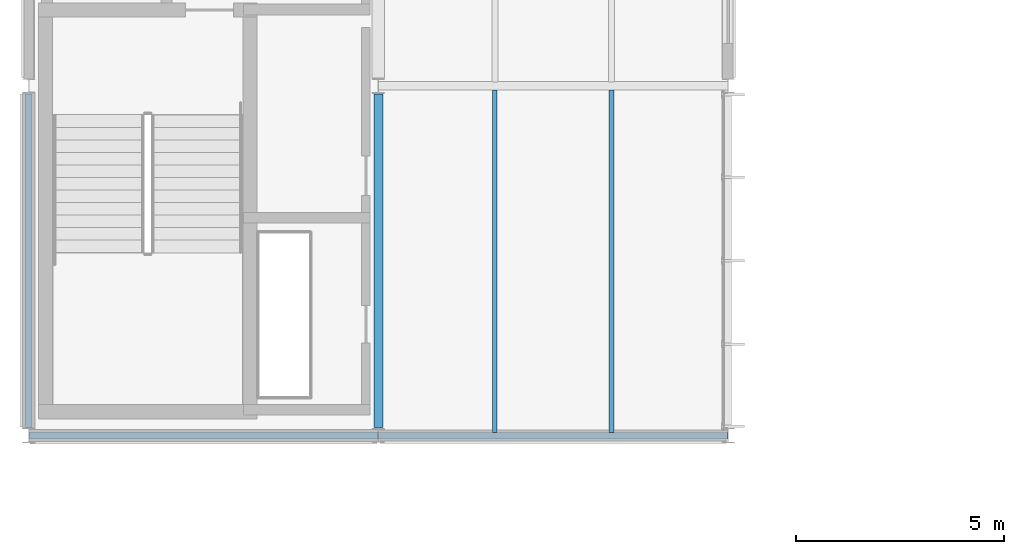
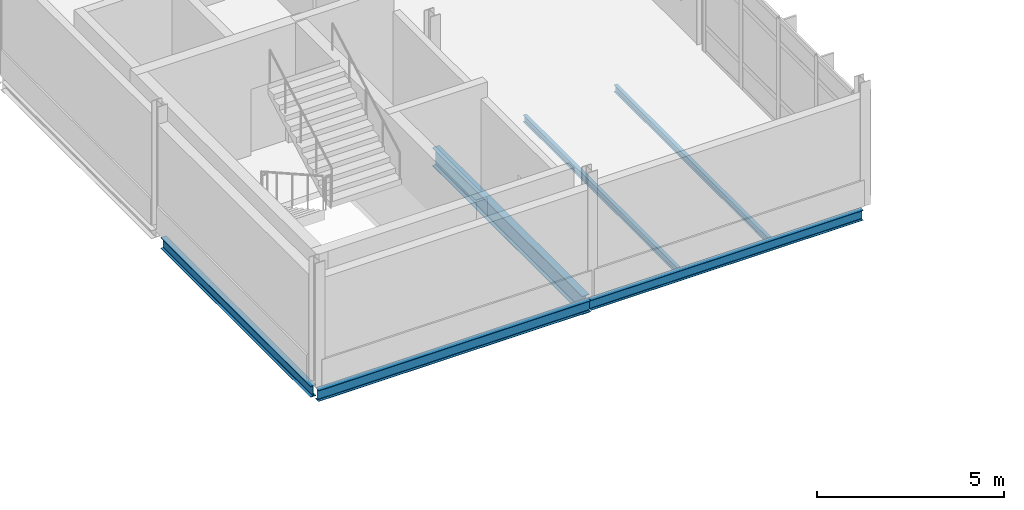
# One storey, part 34 of 131: 6 beams.
"""IFC4 building model written with IfcOpenShell, lengths in metres."""

from ifc_helpers import new_model, si_unit, direction, frame, origin, origin_2d, place, context, subcontext, project, spatial, i_section, extrude, material, material_profile, profile_set, type_object, element, save


model = new_model("IFC4")

# Units and contexts
model_context = context("Model", 3, precision=1e-05, world=origin(), true_north=direction((0.0, 1.0)))
body_context = subcontext(model_context, "Body", "Model", "MODEL_VIEW")
ifc_project = project(units=[si_unit("LENGTHUNIT", "METRE"), si_unit("AREAUNIT", "SQUARE_METRE"), si_unit("VOLUMEUNIT", "CUBIC_METRE"), si_unit("PLANEANGLEUNIT", "RADIAN"), si_unit("MASSUNIT", "GRAM", prefix="KILO")], contexts=[model_context])

# Site, building, storey
site_placement = place(None, origin())
site = spatial("IfcSite", under=ifc_project, at=site_placement, CompositionType="ELEMENT")
building_placement = place(site_placement, origin())
building = spatial("IfcBuilding", under=site, at=building_placement, Name="Mersafa Astral City Hall", CompositionType="ELEMENT")
storey_placement = place(building_placement, frame((0.0, 0.0, 13.949951171875)))
storey = spatial("IfcBuildingStorey", under=building, at=storey_placement, Name="L03", CompositionType="ELEMENT", Elevation=13.949951171875)

# Beams
ifc_material = material(Name="Steel S355", Category="steel")
ifc_material_profile_1 = material_profile(ifc_material, i_section(OverallWidth=0.219970703125, OverallDepth=0.60009765625, WebThickness=0.011962890625, FlangeThickness=0.01904296875, FilletRadius=0.02392578125, at=origin_2d()), Name="IPE 600")
ifc_profile_set_1 = profile_set([ifc_material_profile_1], Name="Steel S355")
beam_type_1 = type_object("IfcBeamType", Name="STR-BM-IPE600", PredefinedType="BEAM", material=ifc_profile_set_1)
beam_1_placement = place(storey_placement, frame((16.800048828125, 75.794921875, -0.5), z_axis=(0.0, 1.0, 0.0), x_axis=(-1.0, 0.0, 0.0)))
element("IfcBeam", 1, at=beam_1_placement, inside=storey, type_object=beam_type_1, Name="L03 Primary girder Y 2-9", PredefinedType="BEAM", context=body_context, shape_type="SweptSolid", body=[
    extrude(i_section(OverallWidth=0.219970703125, OverallDepth=0.60009765625, WebThickness=0.011962890625, FlangeThickness=0.01904296875, FilletRadius=0.02392578125, at=origin_2d()), origin(), (0.0, 0.0, 1.0), 8.010009765625),
])
ifc_material_profile_2 = material_profile(ifc_material, i_section(OverallWidth=0.110107421875, OverallDepth=0.219970703125, WebThickness=0.005859375, FlangeThickness=0.00927734375, FilletRadius=0.011962890625, at=origin_2d()), Name="IPE 220")
ifc_profile_set_2 = profile_set([ifc_material_profile_2], Name="Steel S355")
beam_type_2 = type_object("IfcBeamType", Name="STR-BM-JOIST-IPE220", PredefinedType="JOIST", material=ifc_profile_set_2)
for number, where, z_axis, x_axis, name in (
    (2, (19.60009765625, 75.675048828125, -0.31005859375), (0.0, 1.0, 0.0), (-1.0, 0.0, 0.0), "L03 Composite secondary floor joist 556"),
    (3, (22.39990234375, 75.675048828125, -0.31005859375), (0.0, 1.0, 0.0), (-1.0, 0.0, 0.0), "L03 Composite secondary floor joist 557"),
):
    element("IfcBeam", number, at=place(storey_placement, frame(where, z_axis=z_axis, x_axis=x_axis)), inside=storey, type_object=beam_type_2, Name=name, PredefinedType="JOIST", context=body_context, shape_type="SweptSolid", body=[
        extrude(i_section(OverallWidth=0.110107421875, OverallDepth=0.219970703125, WebThickness=0.005859375, FlangeThickness=0.00927734375, FilletRadius=0.011962890625, at=origin_2d()), origin(), (0.0, 0.0, 1.0), 8.22998046875),
    ])
ifc_material_profile_3 = material_profile(ifc_material, i_section(OverallWidth=0.159912109375, OverallDepth=0.330078125, WebThickness=0.007568359375, FlangeThickness=0.011474609375, FilletRadius=0.01806640625, at=origin_2d()), Name="IPE 330")
ifc_profile_set_3 = profile_set([ifc_material_profile_3], Name="Steel S355")
beam_type_3 = type_object("IfcBeamType", Name="STR-BM-SPANDREL-IPE330", PredefinedType="SPANDREL", material=ifc_profile_set_3)
beam_2_placement = place(storey_placement, frame((16.802978515625, 75.60009765625, -0.364990234375), z_axis=(1.0, 0.0, 0.0), x_axis=(0.0, 1.0, 0.0)))
element("IfcBeam", 4, at=beam_2_placement, inside=storey, type_object=beam_type_3, Name="L03 Primary girder X 2-9", PredefinedType="SPANDREL", context=body_context, shape_type="SweptSolid", body=[
    extrude(i_section(OverallWidth=0.159912109375, OverallDepth=0.330078125, WebThickness=0.007568359375, FlangeThickness=0.011474609375, FilletRadius=0.01806640625, at=origin_2d()), origin(), (0.0, 0.0, 1.0), 8.39404296875),
])
ifc_material_profile_4 = material_profile(ifc_material, i_section(OverallWidth=0.169921875, OverallDepth=0.360107421875, WebThickness=0.008056640625, FlangeThickness=0.0126953125, FilletRadius=0.01806640625, at=origin_2d()), Name="IPE 360")
ifc_profile_set_4 = profile_set([ifc_material_profile_4], Name="Steel S355")
beam_type_4 = type_object("IfcBeamType", Name="STR-BM-SPANDREL-IPE360", PredefinedType="SPANDREL", material=ifc_profile_set_4)
beam_3_placement = place(storey_placement, frame((8.403076171875, 75.60009765625, -0.3798828125), z_axis=(1.0, 0.0, 0.0), x_axis=(0.0, 1.0, 0.0)))
element("IfcBeam", 5, at=beam_3_placement, inside=storey, type_object=beam_type_4, Name="L03 Primary girder X 1-9", PredefinedType="SPANDREL", context=body_context, shape_type="SweptSolid", body=[
    extrude(i_section(OverallWidth=0.169921875, OverallDepth=0.360107421875, WebThickness=0.008056640625, FlangeThickness=0.0126953125, FilletRadius=0.01806640625, at=origin_2d()), origin(), (0.0, 0.0, 1.0), 8.39404296875),
])
beam_4_placement = place(storey_placement, frame((8.39990234375, 75.794921875, -0.3798828125), z_axis=(0.0, 1.0, 0.0), x_axis=(-1.0, 0.0, 0.0)))
element("IfcBeam", 6, at=beam_4_placement, inside=storey, type_object=beam_type_4, Name="L03 Primary girder Y 1-9", PredefinedType="SPANDREL", context=body_context, shape_type="SweptSolid", body=[
    extrude(i_section(OverallWidth=0.169921875, OverallDepth=0.360107421875, WebThickness=0.008056640625, FlangeThickness=0.0126953125, FilletRadius=0.01806640625, at=origin_2d()), origin(), (0.0, 0.0, 1.0), 8.010009765625),
])

save(model, "model.ifc")
